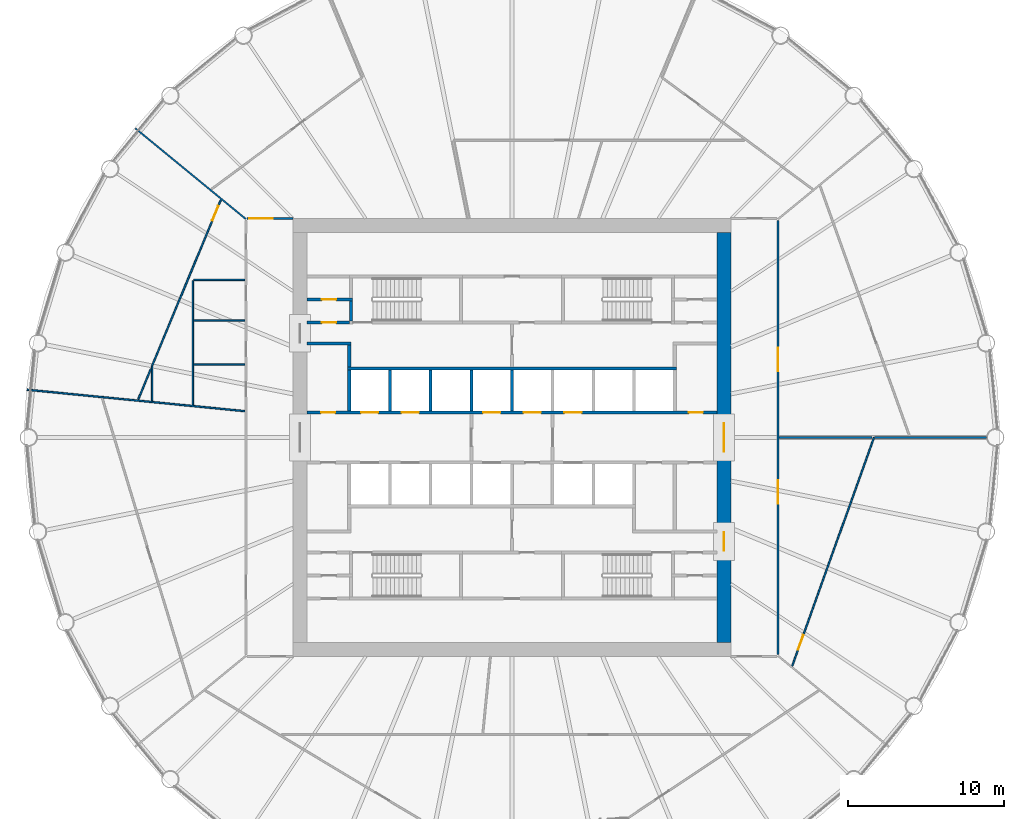
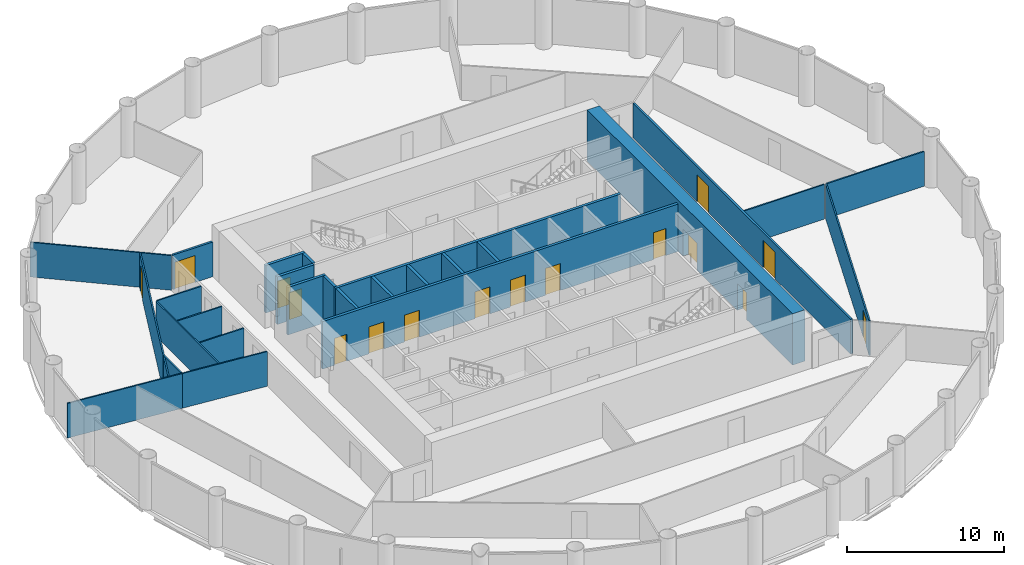
# One storey, part 6 of 9: 28 walls, 16 doors, 16 openings.
"""IFC4 building model written with IfcOpenShell, lengths in metres."""

from ifc_helpers import new_model, si_unit, direction, frame, frame_2d, origin, place, context, subcontext, project, spatial, polyline, rectangle, outline, extrude, material, layer, layer_set, type_object, element, fill, save


model = new_model("IFC4")

# Units and contexts
model_context = context("Model", 3, precision=1e-05, world=origin(), true_north=direction((0.0, 1.0)))
body_context = subcontext(model_context, "Body", "Model", "MODEL_VIEW")
ifc_project = project(units=[si_unit("LENGTHUNIT", "METRE"), si_unit("AREAUNIT", "SQUARE_METRE"), si_unit("VOLUMEUNIT", "CUBIC_METRE"), si_unit("PLANEANGLEUNIT", "RADIAN"), si_unit("MASSUNIT", "GRAM", prefix="KILO")], contexts=[model_context])

# Site, building, storey
site_placement = place(None, origin())
site = spatial("IfcSite", under=ifc_project, at=site_placement, CompositionType="ELEMENT")
building_placement = place(site_placement, origin())
building = spatial("IfcBuilding", under=site, at=building_placement, Name="Corvane Civic Tower", CompositionType="ELEMENT")
storey_placement = place(building_placement, frame((0.0, 0.0, 168.0)))
storey = spatial("IfcBuildingStorey", under=building, at=storey_placement, Name="L39", CompositionType="ELEMENT", Elevation=168.0)

# Wall, openings, doors
ifc_material_1 = material(Name="Concrete C60/75", Category="concrete")
ifc_layer_1 = layer(ifc_material_1, 0.89990234375)
ifc_layer_set_1 = layer_set([ifc_layer_1], Name="Concrete C60/75")
wall_type_1 = type_object("IfcWallType", Name="CORE WALL 900 C60/75", PredefinedType="SHEAR", material=ifc_layer_set_1)
wall_1_placement = place(storey_placement, frame((13.550048828125, -13.10009765625, 0.0), z_axis=(0.0, 0.0, 1.0), x_axis=(0.0, 1.0, 0.0)))
wall_1 = element("IfcWall", 1, at=wall_1_placement, inside=storey, type_object=wall_type_1, Name="W-L39-core-E", PredefinedType="SHEAR", context=body_context, shape_type="SweptSolid", body=[
    extrude(rectangle(XDim=26.2001953125, YDim=0.89990234375, at=frame_2d((13.10009765625, 0.0))), origin(), (0.0, 0.0, 1.0), 4.0),
])
opening_1_placement = place(wall_1_placement, frame((12.199951171875, 0.0, 0.0)))
opening_1 = element("IfcOpeningElement", 2, at=opening_1_placement, cuts=wall_1, Name="Opening L39.C29", PredefinedType="OPENING", context=body_context, shape_type="SweptSolid", body=[
    extrude(rectangle(XDim=1.800048828125, YDim=2.10009765625, at=frame_2d((0.89990234375, 1.050048828125))), frame((0.0, 0.4599609375, 0.0), z_axis=(0.0, -1.0, 0.0), x_axis=(1.0, 0.0, 0.0)), (0.0, 0.0, 1.0), 0.919921875),
])
opening_2_placement = place(wall_1_placement, frame((5.85009765625, 0.0, 0.0)))
opening_2 = element("IfcOpeningElement", 3, at=opening_2_placement, cuts=wall_1, Name="Opening L39.C31", PredefinedType="OPENING", context=body_context, shape_type="SweptSolid", body=[
    extrude(rectangle(XDim=1.199951171875, YDim=2.10009765625, at=frame_2d((0.60009765625, 1.050048828125))), frame((0.0, 0.4599609375, 0.0), z_axis=(0.0, -1.0, 0.0), x_axis=(1.0, 0.0, 0.0)), (0.0, 0.0, 1.0), 0.919921875),
])
ifc_material_2 = material(Name="Steel fire door leaf", Category="steel")
door_type_1 = type_object("IfcDoorType", Name="CR-DOOR-CORE-1800", OperationType="DOUBLE_DOOR_SINGLE_SWING", PredefinedType="DOOR", material=ifc_material_2)
door_1_placement = place(opening_1_placement, origin())
door_1 = element("IfcDoor", 4, at=door_1_placement, inside=storey, type_object=door_type_1, Name="L39 door", OperationType="DOUBLE_DOOR_SINGLE_SWING", OverallHeight=2.10009765625, OverallWidth=1.800048828125, PredefinedType="DOOR", context=body_context, shape_type="SweptSolid", body=[
    extrude(rectangle(XDim=1.800048828125, YDim=2.10009765625, at=frame_2d((0.89990234375, 1.050048828125))), frame((0.0, 0.02490234375, 0.0), z_axis=(0.0, -1.0, 0.0), x_axis=(1.0, 0.0, 0.0)), (0.0, 0.0, 1.0), 0.050048828125),
])
fill(opening_1, door_1)
door_2_placement = place(opening_2_placement, origin())
door_2 = element("IfcDoor", 5, at=door_2_placement, inside=storey, type_object=door_type_1, Name="L39 door", OperationType="DOUBLE_DOOR_SINGLE_SWING", OverallHeight=2.10009765625, OverallWidth=1.199951171875, PredefinedType="DOOR", context=body_context, shape_type="SweptSolid", body=[
    extrude(rectangle(XDim=1.199951171875, YDim=2.10009765625, at=frame_2d((0.60009765625, 1.050048828125))), frame((0.0, 0.02490234375, 0.0), z_axis=(0.0, -1.0, 0.0), x_axis=(1.0, 0.0, 0.0)), (0.0, 0.0, 1.0), 0.050048828125),
])
fill(opening_2, door_2)

ifc_material_3 = material(Name="Concrete C30/37", Category="concrete")
ifc_layer_2 = layer(ifc_material_3, 0.199951171875)
ifc_layer_set_2 = layer_set([ifc_layer_2], Name="Concrete C30/37")
wall_type_2 = type_object("IfcWallType", Name="CR-WALL-200", PredefinedType="PARTITIONING", material=ifc_layer_set_2)
wall_2_placement = place(storey_placement, frame((-13.10009765625, 1.60009765625, 0.0), z_axis=(0.0, 0.0, 1.0), x_axis=(1.0, 0.0, 0.0)))
wall_2 = element("IfcWall", 6, at=wall_2_placement, inside=storey, type_object=wall_type_2, Name="L39 lift shaft wall", PredefinedType="PARTITIONING", context=body_context, shape_type="SweptSolid", body=[
    extrude(rectangle(XDim=26.2001953125, YDim=0.199951171875, at=frame_2d((13.10009765625, 0.0))), origin(), (0.0, 0.0, 1.0), 3.699951171875),
])
opening_3_placement = place(wall_2_placement, frame((3.449951171875, 0.0, 0.0)))
opening_3 = element("IfcOpeningElement", 7, at=opening_3_placement, cuts=wall_2, Name="Opening LD", PredefinedType="OPENING", context=body_context, shape_type="SweptSolid", body=[
    extrude(rectangle(XDim=1.10009765625, YDim=2.10009765625, at=frame_2d((0.550048828125, 1.050048828125))), frame((0.0, 0.10986328125, 0.0), z_axis=(0.0, -1.0, 0.0), x_axis=(1.0, 0.0, 0.0)), (0.0, 0.0, 1.0), 0.219970703125),
])
opening_4_placement = place(wall_2_placement, frame((6.050048828125, 0.0, 0.0)))
opening_4 = element("IfcOpeningElement", 8, at=opening_4_placement, cuts=wall_2, Name="Opening LD", PredefinedType="OPENING", context=body_context, shape_type="SweptSolid", body=[
    extrude(rectangle(XDim=1.10009765625, YDim=2.10009765625, at=frame_2d((0.550048828125, 1.050048828125))), frame((0.0, 0.10986328125, 0.0), z_axis=(0.0, -1.0, 0.0), x_axis=(1.0, 0.0, 0.0)), (0.0, 0.0, 1.0), 0.219970703125),
])
opening_5_placement = place(wall_2_placement, frame((11.25, 0.0, 0.0)))
opening_5 = element("IfcOpeningElement", 9, at=opening_5_placement, cuts=wall_2, Name="Opening LD", PredefinedType="OPENING", context=body_context, shape_type="SweptSolid", body=[
    extrude(rectangle(XDim=1.10009765625, YDim=2.10009765625, at=frame_2d((0.550048828125, 1.050048828125))), frame((0.0, 0.10986328125, 0.0), z_axis=(0.0, -1.0, 0.0), x_axis=(1.0, 0.0, 0.0)), (0.0, 0.0, 1.0), 0.219970703125),
])
opening_6_placement = place(wall_2_placement, frame((13.85009765625, 0.0, 0.0)))
opening_6 = element("IfcOpeningElement", 10, at=opening_6_placement, cuts=wall_2, Name="Opening LD", PredefinedType="OPENING", context=body_context, shape_type="SweptSolid", body=[
    extrude(rectangle(XDim=1.10009765625, YDim=2.10009765625, at=frame_2d((0.550048828125, 1.050048828125))), frame((0.0, 0.10986328125, 0.0), z_axis=(0.0, -1.0, 0.0), x_axis=(1.0, 0.0, 0.0)), (0.0, 0.0, 1.0), 0.219970703125),
])
opening_7_placement = place(wall_2_placement, frame((16.449951171875, 0.0, 0.0)))
opening_7 = element("IfcOpeningElement", 11, at=opening_7_placement, cuts=wall_2, Name="Opening LD", PredefinedType="OPENING", context=body_context, shape_type="SweptSolid", body=[
    extrude(rectangle(XDim=1.10009765625, YDim=2.10009765625, at=frame_2d((0.550048828125, 1.050048828125))), frame((0.0, 0.10986328125, 0.0), z_axis=(0.0, -1.0, 0.0), x_axis=(1.0, 0.0, 0.0)), (0.0, 0.0, 1.0), 0.219970703125),
])
opening_8_placement = place(wall_2_placement, frame((0.89990234375, 0.0, 0.0)))
opening_8 = element("IfcOpeningElement", 12, at=opening_8_placement, cuts=wall_2, Name="Opening L39.C01", PredefinedType="OPENING", context=body_context, shape_type="SweptSolid", body=[
    extrude(rectangle(XDim=0.89990234375, YDim=2.10009765625, at=frame_2d((0.449951171875, 1.050048828125))), frame((0.0, 0.10986328125, 0.0), z_axis=(0.0, -1.0, 0.0), x_axis=(1.0, 0.0, 0.0)), (0.0, 0.0, 1.0), 0.219970703125),
])
opening_9_placement = place(wall_2_placement, frame((24.39990234375, 0.0, 0.0)))
opening_9 = element("IfcOpeningElement", 13, at=opening_9_placement, cuts=wall_2, Name="Opening L39.C02", PredefinedType="OPENING", context=body_context, shape_type="SweptSolid", body=[
    extrude(rectangle(XDim=0.89990234375, YDim=2.10009765625, at=frame_2d((0.449951171875, 1.050048828125))), frame((0.0, 0.10986328125, 0.0), z_axis=(0.0, -1.0, 0.0), x_axis=(1.0, 0.0, 0.0)), (0.0, 0.0, 1.0), 0.219970703125),
])
ifc_material_4 = material(Name="Steel fire door leaf", Category="steel")
door_type_2 = type_object("IfcDoorType", Name="CR-DOOR-900", OperationType="SINGLE_SWING_LEFT", PredefinedType="DOOR", material=ifc_material_4)
door_3_placement = place(opening_8_placement, origin())
door_3 = element("IfcDoor", 14, at=door_3_placement, inside=storey, type_object=door_type_2, Name="L39 door", OperationType="SINGLE_SWING_LEFT", OverallHeight=2.10009765625, OverallWidth=0.89990234375, PredefinedType="DOOR", context=body_context, shape_type="SweptSolid", body=[
    extrude(rectangle(XDim=0.89990234375, YDim=2.10009765625, at=frame_2d((0.449951171875, 1.050048828125))), frame((0.0, 0.02490234375, 0.0), z_axis=(0.0, -1.0, 0.0), x_axis=(1.0, 0.0, 0.0)), (0.0, 0.0, 1.0), 0.050048828125),
])
fill(opening_8, door_3)
door_4_placement = place(opening_9_placement, origin())
door_4 = element("IfcDoor", 15, at=door_4_placement, inside=storey, type_object=door_type_2, Name="L39 door", OperationType="SINGLE_SWING_LEFT", OverallHeight=2.10009765625, OverallWidth=0.89990234375, PredefinedType="DOOR", context=body_context, shape_type="SweptSolid", body=[
    extrude(rectangle(XDim=0.89990234375, YDim=2.10009765625, at=frame_2d((0.449951171875, 1.050048828125))), frame((0.0, 0.02490234375, 0.0), z_axis=(0.0, -1.0, 0.0), x_axis=(1.0, 0.0, 0.0)), (0.0, 0.0, 1.0), 0.050048828125),
])
fill(opening_9, door_4)
ifc_material_5 = material(Name="Stainless steel 316 door leaves", Category="steel")
door_type_3 = type_object("IfcDoorType", Name="LD", OperationType="DOUBLE_DOOR_SLIDING", PredefinedType="DOOR", material=ifc_material_5)
door_5_placement = place(opening_3_placement, origin())
door_5 = element("IfcDoor", 16, at=door_5_placement, inside=storey, type_object=door_type_3, Name="L39 landing door", OperationType="DOUBLE_DOOR_SLIDING", OverallHeight=2.10009765625, OverallWidth=1.10009765625, PredefinedType="DOOR", context=body_context, shape_type="SweptSolid", body=[
    extrude(rectangle(XDim=1.10009765625, YDim=2.10009765625, at=frame_2d((0.550048828125, 1.050048828125))), frame((0.0, 0.02490234375, 0.0), z_axis=(0.0, -1.0, 0.0), x_axis=(1.0, 0.0, 0.0)), (0.0, 0.0, 1.0), 0.050048828125),
])
fill(opening_3, door_5)
door_6_placement = place(opening_4_placement, origin())
door_6 = element("IfcDoor", 17, at=door_6_placement, inside=storey, type_object=door_type_3, Name="L39 landing door", OperationType="DOUBLE_DOOR_SLIDING", OverallHeight=2.10009765625, OverallWidth=1.10009765625, PredefinedType="DOOR", context=body_context, shape_type="SweptSolid", body=[
    extrude(rectangle(XDim=1.10009765625, YDim=2.10009765625, at=frame_2d((0.550048828125, 1.050048828125))), frame((0.0, 0.02490234375, 0.0), z_axis=(0.0, -1.0, 0.0), x_axis=(1.0, 0.0, 0.0)), (0.0, 0.0, 1.0), 0.050048828125),
])
fill(opening_4, door_6)
door_7_placement = place(opening_5_placement, origin())
door_7 = element("IfcDoor", 18, at=door_7_placement, inside=storey, type_object=door_type_3, Name="L39 landing door", OperationType="DOUBLE_DOOR_SLIDING", OverallHeight=2.10009765625, OverallWidth=1.10009765625, PredefinedType="DOOR", context=body_context, shape_type="SweptSolid", body=[
    extrude(rectangle(XDim=1.10009765625, YDim=2.10009765625, at=frame_2d((0.550048828125, 1.050048828125))), frame((0.0, 0.02490234375, 0.0), z_axis=(0.0, -1.0, 0.0), x_axis=(1.0, 0.0, 0.0)), (0.0, 0.0, 1.0), 0.050048828125),
])
fill(opening_5, door_7)
door_8_placement = place(opening_6_placement, origin())
door_8 = element("IfcDoor", 19, at=door_8_placement, inside=storey, type_object=door_type_3, Name="L39 landing door", OperationType="DOUBLE_DOOR_SLIDING", OverallHeight=2.10009765625, OverallWidth=1.10009765625, PredefinedType="DOOR", context=body_context, shape_type="SweptSolid", body=[
    extrude(rectangle(XDim=1.10009765625, YDim=2.10009765625, at=frame_2d((0.550048828125, 1.050048828125))), frame((0.0, 0.02490234375, 0.0), z_axis=(0.0, -1.0, 0.0), x_axis=(1.0, 0.0, 0.0)), (0.0, 0.0, 1.0), 0.050048828125),
])
fill(opening_6, door_8)
door_9_placement = place(opening_7_placement, origin())
door_9 = element("IfcDoor", 20, at=door_9_placement, inside=storey, type_object=door_type_3, Name="L39 landing door", OperationType="DOUBLE_DOOR_SLIDING", OverallHeight=2.10009765625, OverallWidth=1.10009765625, PredefinedType="DOOR", context=body_context, shape_type="SweptSolid", body=[
    extrude(rectangle(XDim=1.10009765625, YDim=2.10009765625, at=frame_2d((0.550048828125, 1.050048828125))), frame((0.0, 0.02490234375, 0.0), z_axis=(0.0, -1.0, 0.0), x_axis=(1.0, 0.0, 0.0)), (0.0, 0.0, 1.0), 0.050048828125),
])
fill(opening_7, door_9)

# Wall, opening, door
wall_3_placement = place(storey_placement, frame((-13.10009765625, 7.35009765625, 0.0), z_axis=(0.0, 0.0, 1.0), x_axis=(1.0, 0.0, 0.0)))
wall_3 = element("IfcWall", 21, at=wall_3_placement, inside=storey, type_object=wall_type_2, Name="L39 core partition wall", PredefinedType="PARTITIONING", context=body_context, shape_type="SweptSolid", body=[
    extrude(rectangle(XDim=2.7001953125, YDim=0.199951171875, at=frame_2d((1.35009765625, 0.0))), origin(), (0.0, 0.0, 1.0), 3.699951171875),
])
opening_10_placement = place(wall_3_placement, frame((0.949951171875, 0.0, 0.0)))
opening_10 = element("IfcOpeningElement", 22, at=opening_10_placement, cuts=wall_3, Name="Opening L39.C11", PredefinedType="OPENING", context=body_context, shape_type="SweptSolid", body=[
    extrude(rectangle(XDim=0.89990234375, YDim=2.10009765625, at=frame_2d((0.449951171875, 1.050048828125))), frame((0.0, 0.10986328125, 0.0), z_axis=(0.0, -1.0, 0.0), x_axis=(1.0, 0.0, 0.0)), (0.0, 0.0, 1.0), 0.219970703125),
])
door_10_placement = place(opening_10_placement, origin())
door_10 = element("IfcDoor", 23, at=door_10_placement, inside=storey, type_object=door_type_2, Name="L39 door", OperationType="SINGLE_SWING_LEFT", OverallHeight=2.10009765625, OverallWidth=0.89990234375, PredefinedType="DOOR", context=body_context, shape_type="SweptSolid", body=[
    extrude(rectangle(XDim=0.89990234375, YDim=2.10009765625, at=frame_2d((0.449951171875, 1.050048828125))), frame((0.0, 0.02490234375, 0.0), z_axis=(0.0, -1.0, 0.0), x_axis=(1.0, 0.0, 0.0)), (0.0, 0.0, 1.0), 0.050048828125),
])
fill(opening_10, door_10)

wall_4_placement = place(storey_placement, frame((-13.10009765625, 8.824951171875, 0.0), z_axis=(0.0, 0.0, 1.0), x_axis=(1.0, 0.0, 0.0)))
wall_4 = element("IfcWall", 24, at=wall_4_placement, inside=storey, type_object=wall_type_2, Name="L39 partition wall", PredefinedType="PARTITIONING", context=body_context, shape_type="SweptSolid", body=[
    extrude(rectangle(XDim=2.900146484375, YDim=0.199951171875, at=frame_2d((1.4501953125, 0.0))), origin(), (0.0, 0.0, 1.0), 3.699951171875),
])
opening_11_placement = place(wall_4_placement, frame((0.949951171875, 0.0, 0.0)))
opening_11 = element("IfcOpeningElement", 25, at=opening_11_placement, cuts=wall_4, Name="Opening L39.C12", PredefinedType="OPENING", context=body_context, shape_type="SweptSolid", body=[
    extrude(rectangle(XDim=0.89990234375, YDim=2.10009765625, at=frame_2d((0.449951171875, 1.050048828125))), frame((0.0, 0.10986328125, 0.0), z_axis=(0.0, -1.0, 0.0), x_axis=(1.0, 0.0, 0.0)), (0.0, 0.0, 1.0), 0.219970703125),
])
door_11_placement = place(opening_11_placement, origin())
door_11 = element("IfcDoor", 26, at=door_11_placement, inside=storey, type_object=door_type_2, Name="L39 door", OperationType="SINGLE_SWING_LEFT", OverallHeight=2.10009765625, OverallWidth=0.89990234375, PredefinedType="DOOR", context=body_context, shape_type="SweptSolid", body=[
    extrude(rectangle(XDim=0.89990234375, YDim=2.10009765625, at=frame_2d((0.449951171875, 1.050048828125))), frame((0.0, 0.02490234375, 0.0), z_axis=(0.0, -1.0, 0.0), x_axis=(1.0, 0.0, 0.0)), (0.0, 0.0, 1.0), 0.050048828125),
])
fill(opening_11, door_11)

# Walls
wall_5_placement = place(storey_placement, origin())
element("IfcWall", 27, at=wall_5_placement, inside=storey, type_object=wall_type_2, Name="L39 core partition wall", PredefinedType="PARTITIONING", context=body_context, shape_type="SweptSolid", body=[
    extrude(outline(polyline([(10.5, 4.5), (10.5, 4.300048828125), (-10.5, 4.300048828125), (-10.5, 4.5), (10.5, 4.5)])), origin(), (0.0, 0.0, 1.0), 3.699951171875),
])
wall_6_placement = place(storey_placement, origin())
element("IfcWall", 28, at=wall_6_placement, inside=storey, type_object=wall_type_2, Name="L39 core partition wall", PredefinedType="PARTITIONING", context=body_context, shape_type="SweptSolid", body=[
    extrude(outline(polyline([(-10.300048828125, 5.89990234375), (-13.10009765625, 5.89990234375), (-13.10009765625, 6.10009765625), (-10.300048828125, 6.10009765625), (-10.300048828125, 5.89990234375)])), origin(), (0.0, 0.0, 1.0), 3.699951171875),
])
wall_7_placement = place(storey_placement, origin())
element("IfcWall", 29, at=wall_7_placement, inside=storey, type_object=wall_type_2, Name="L39 core partition wall", PredefinedType="PARTITIONING", context=body_context, shape_type="SweptSolid", body=[
    extrude(outline(polyline([(-2.5, 1.699951171875), (-2.699951171875, 1.699951171875), (-2.699951171875, 4.2998046875), (-2.5, 4.2998046875), (-2.5, 1.699951171875)])), origin(), (0.0, 0.0, 1.0), 3.699951171875),
])
wall_8_placement = place(storey_placement, origin())
element("IfcWall", 30, at=wall_8_placement, inside=storey, type_object=wall_type_2, Name="L39 core partition wall", PredefinedType="PARTITIONING", context=body_context, shape_type="SweptSolid", body=[
    extrude(outline(polyline([(0.10009765625, 1.699951171875), (-0.10009765625, 1.699951171875), (-0.10009765625, 4.2998046875), (0.10009765625, 4.2998046875), (0.10009765625, 1.699951171875)])), origin(), (0.0, 0.0, 1.0), 3.699951171875),
])
wall_9_placement = place(storey_placement, origin())
element("IfcWall", 31, at=wall_9_placement, inside=storey, type_object=wall_type_2, Name="L39 core partition wall", PredefinedType="PARTITIONING", context=body_context, shape_type="SweptSolid", body=[
    extrude(outline(polyline([(-10.300048828125, 1.699951171875), (-10.5, 1.699951171875), (-10.5, 4.2998046875), (-10.300048828125, 4.2998046875), (-10.300048828125, 1.699951171875)])), origin(), (0.0, 0.0, 1.0), 3.699951171875),
])
wall_10_placement = place(storey_placement, origin())
element("IfcWall", 32, at=wall_10_placement, inside=storey, type_object=wall_type_2, Name="L39 core partition wall", PredefinedType="PARTITIONING", context=body_context, shape_type="SweptSolid", body=[
    extrude(outline(polyline([(-7.699951171875, 1.699951171875), (-7.89990234375, 1.699951171875), (-7.89990234375, 4.2998046875), (-7.699951171875, 4.2998046875), (-7.699951171875, 1.699951171875)])), origin(), (0.0, 0.0, 1.0), 3.699951171875),
])
wall_11_placement = place(storey_placement, origin())
element("IfcWall", 33, at=wall_11_placement, inside=storey, type_object=wall_type_2, Name="L39 core partition wall", PredefinedType="PARTITIONING", context=body_context, shape_type="SweptSolid", body=[
    extrude(outline(polyline([(-5.10009765625, 1.699951171875), (-5.300048828125, 1.699951171875), (-5.300048828125, 4.2998046875), (-5.10009765625, 4.2998046875), (-5.10009765625, 1.699951171875)])), origin(), (0.0, 0.0, 1.0), 3.699951171875),
])
wall_12_placement = place(storey_placement, origin())
element("IfcWall", 34, at=wall_12_placement, inside=storey, type_object=wall_type_2, Name="L39 core partition wall", PredefinedType="PARTITIONING", context=body_context, shape_type="SweptSolid", body=[
    extrude(outline(polyline([(-10.300048828125, 4.5), (-10.5, 4.5), (-10.5, 5.89990234375), (-10.300048828125, 5.89990234375), (-10.300048828125, 4.5)])), origin(), (0.0, 0.0, 1.0), 3.699951171875),
])

# Wall, opening, door
ifc_material_6 = material(Name="Plasterboard")
ifc_layer_3 = layer(ifc_material_6, 0.10009765625)
ifc_layer_set_3 = layer_set([ifc_layer_3], Name="Plasterboard")
wall_type_3 = type_object("IfcWallType", Name="Partition 100 plasterboard on studs", PredefinedType="PARTITIONING", material=ifc_layer_set_3)
wall_13_placement = place(storey_placement, frame((17.911865234375, -14.61328125, 0.0), z_axis=(0.0, 0.0, 1.0), x_axis=(0.336892373853, 0.941543163344, 0.0)))
wall_13 = element("IfcWall", 35, at=wall_13_placement, inside=storey, type_object=wall_type_3, Name="Partition L39.011", PredefinedType="PARTITIONING", context=body_context, shape_type="SweptSolid", body=[
    extrude(rectangle(XDim=15.5205078125, YDim=0.10009765625, at=frame_2d((7.76025390625, 0.0))), origin(), (0.0, 0.0, 1.0), 2.699951171875),
])
opening_12_placement = place(wall_13_placement, frame((1.111328125, 0.0, 0.0)))
opening_12 = element("IfcOpeningElement", 36, at=opening_12_placement, cuts=wall_13, Name="Opening L39.014", PredefinedType="OPENING", context=body_context, shape_type="SweptSolid", body=[
    extrude(rectangle(XDim=1.0, YDim=2.10009765625, at=frame_2d((0.5, 1.050048828125))), frame((0.0, 0.06005859375, 0.0), z_axis=(0.0, -1.0, 0.0), x_axis=(1.0, 0.0, 0.0)), (0.0, 0.0, 1.0), 0.1201171875),
])
ifc_material_7 = material(Name="Timber", Category="wood")
door_type_4 = type_object("IfcDoorType", Name="Single door 1000", OperationType="NOTDEFINED", PredefinedType="DOOR", material=ifc_material_7)
door_12_placement = place(opening_12_placement, frame((1.0, 0.0, 0.0), z_axis=(0.0, 0.0, 1.0), x_axis=(-1.0, 0.0, 0.0)))
door_12 = element("IfcDoor", 37, at=door_12_placement, inside=storey, type_object=door_type_4, Name="Door L39.014", OperationType="SINGLE_SWING_LEFT", OverallHeight=2.10009765625, OverallWidth=1.0, PredefinedType="DOOR", context=body_context, shape_type="SweptSolid", body=[
    extrude(rectangle(XDim=1.0, YDim=2.10009765625, at=frame_2d((0.5, 1.050048828125))), frame((0.0, 0.02490234375, 0.0), z_axis=(0.0, -1.0, 0.0), x_axis=(1.0, 0.0, 0.0)), (0.0, 0.0, 1.0), 0.050048828125),
])
fill(opening_12, door_12)

# Walls
wall_14_placement = place(storey_placement, frame((17.074951171875, 0.0, 0.0), z_axis=(0.0, 0.0, 1.0), x_axis=(1.0, 0.0, 0.0)))
element("IfcWall", 38, at=wall_14_placement, inside=storey, type_object=wall_type_3, Name="Partition L39.016", PredefinedType="PARTITIONING", context=body_context, shape_type="SweptSolid", body=[
    extrude(rectangle(XDim=5.925048828125, YDim=0.10009765625, at=frame_2d((2.96240234375, 0.0))), origin(), (0.0, 0.0, 1.0), 2.699951171875),
])
wall_15_placement = place(storey_placement, frame((23.1806640625, 0.0, 0.0), z_axis=(0.0, 0.0, 1.0), x_axis=(1.0, 0.0, 0.0)))
element("IfcWall", 39, at=wall_15_placement, inside=storey, type_object=wall_type_3, Name="Partition L39.017", PredefinedType="PARTITIONING", context=body_context, shape_type="SweptSolid", body=[
    extrude(rectangle(XDim=7.1591796875, YDim=0.10009765625, at=frame_2d((3.57958984375, 0.0))), origin(), (0.0, 0.0, 1.0), 2.699951171875),
])
wall_16_placement = place(storey_placement, frame((-23.0, 2.265380859375, 0.0), z_axis=(0.0, 0.0, 1.0), x_axis=(0.995181996219, -0.098044859127, 0.0)))
element("IfcWall", 40, at=wall_16_placement, inside=storey, type_object=wall_type_3, Name="Partition L39.019", PredefinedType="PARTITIONING", context=body_context, shape_type="SweptSolid", body=[
    extrude(rectangle(XDim=5.94873046875, YDim=0.10009765625, at=frame_2d((2.974365234375, 0.0))), origin(), (0.0, 0.0, 1.0), 2.699951171875),
])
wall_17_placement = place(storey_placement, frame((-20.39990234375, 2.064453125, 0.0), z_axis=(0.0, 0.0, 1.0), x_axis=(0.0, 1.0, 0.0)))
element("IfcWall", 41, at=wall_17_placement, inside=storey, type_object=wall_type_3, Name="Partition L39.020", PredefinedType="PARTITIONING", context=body_context, shape_type="SweptSolid", body=[
    extrude(rectangle(XDim=7.9599609375, YDim=0.10009765625, at=frame_2d((3.97998046875, 0.0))), origin(), (0.0, 0.0, 1.0), 2.699951171875),
])
wall_18_placement = place(storey_placement, frame((-31.000244140625, 3.05322265625, 0.0), z_axis=(0.0, 0.0, 1.0), x_axis=(0.995186103497, -0.098003160181, 0.0)))
element("IfcWall", 42, at=wall_18_placement, inside=storey, type_object=wall_type_3, Name="Partition L39.021", PredefinedType="PARTITIONING", context=body_context, shape_type="SweptSolid", body=[
    extrude(rectangle(XDim=8.0390625, YDim=0.10009765625, at=frame_2d((4.01953125, 0.0))), origin(), (0.0, 0.0, 1.0), 2.699951171875),
])

# Wall, opening, door
wall_19_placement = place(storey_placement, frame((-23.010009765625, 4.56787109375, 0.0), z_axis=(0.0, 0.0, 1.0), x_axis=(0.382698123591, 0.923873447069, 0.0)))
wall_19 = element("IfcWall", 43, at=wall_19_placement, inside=storey, type_object=wall_type_3, Name="Partition L39.022", PredefinedType="PARTITIONING", context=body_context, shape_type="SweptSolid", body=[
    extrude(rectangle(XDim=11.4970703125, YDim=0.10009765625, at=frame_2d((5.74853515625, 0.0))), origin(), (0.0, 0.0, 1.0), 2.699951171875),
])
opening_13_placement = place(wall_19_placement, frame((10.075439453125, 0.0, 0.0)))
opening_13 = element("IfcOpeningElement", 44, at=opening_13_placement, cuts=wall_19, Name="Opening L39.018", PredefinedType="OPENING", context=body_context, shape_type="SweptSolid", body=[
    extrude(rectangle(XDim=1.0, YDim=2.10009765625, at=frame_2d((0.5, 1.050048828125))), frame((0.0, 0.06005859375, 0.0), z_axis=(0.0, -1.0, 0.0), x_axis=(1.0, 0.0, 0.0)), (0.0, 0.0, 1.0), 0.1201171875),
])
door_13_placement = place(opening_13_placement, origin())
door_13 = element("IfcDoor", 45, at=door_13_placement, inside=storey, type_object=door_type_4, Name="Door L39.018", OperationType="SINGLE_SWING_LEFT", OverallHeight=2.10009765625, OverallWidth=1.0, PredefinedType="DOOR", context=body_context, shape_type="SweptSolid", body=[
    extrude(rectangle(XDim=1.0, YDim=2.10009765625, at=frame_2d((0.5, 1.050048828125))), frame((0.0, 0.02490234375, 0.0), z_axis=(0.0, -1.0, 0.0), x_axis=(1.0, 0.0, 0.0)), (0.0, 0.0, 1.0), 0.050048828125),
])
fill(opening_13, door_13)

# Walls
for number, where, z_axis, x_axis, name in (
    (46, (-20.35009765625, 4.67431640625, 0.0), (0.0, 0.0, 1.0), (1.0, 0.0, 0.0), "Partition L39.023"),
    (47, (-20.35009765625, 7.474365234375, 0.0), (0.0, 0.0, 1.0), (1.0, 0.0, 0.0), "Partition L39.024"),
    (48, (-20.35009765625, 10.074462890625, 0.0), (0.0, 0.0, 1.0), (1.0, 0.0, 0.0), "Partition L39.025"),
):
    element("IfcWall", number, at=place(storey_placement, frame(where, z_axis=z_axis, x_axis=x_axis)), inside=storey, type_object=wall_type_3, Name=name, PredefinedType="PARTITIONING", context=body_context, shape_type="SweptSolid", body=[
        extrude(rectangle(XDim=3.275146484375, YDim=0.10009765625, at=frame_2d((1.6376953125, 0.0))), origin(), (0.0, 0.0, 1.0), 2.699951171875),
    ])
wall_20_placement = place(storey_placement, frame((-24.079345703125, 19.761474609375, 0.0), z_axis=(0.0, 0.0, 1.0), x_axis=(0.773006154143, -0.634398522742, 0.0)))
element("IfcWall", 49, at=wall_20_placement, inside=storey, type_object=wall_type_3, Name="Partition L39.026", PredefinedType="PARTITIONING", context=body_context, shape_type="SweptSolid", body=[
    extrude(rectangle(XDim=9.134521484375, YDim=0.10009765625, at=frame_2d((4.5673828125, 0.0))), origin(), (0.0, 0.0, 1.0), 2.699951171875),
])
wall_21_placement = place(storey_placement, frame((-23.889892578125, 2.443359375, 0.0), z_axis=(0.0, 0.0, 1.0), x_axis=(0.382640634603, 0.923897258763, 0.0)))
element("IfcWall", 50, at=wall_21_placement, inside=storey, type_object=wall_type_3, Name="Partition L39.037", PredefinedType="PARTITIONING", context=body_context, shape_type="SweptSolid", body=[
    extrude(rectangle(XDim=2.09033203125, YDim=0.10009765625, at=frame_2d((1.045166015625, 0.0))), origin(), (0.0, 0.0, 1.0), 2.699951171875),
])
wall_22_placement = place(storey_placement, frame((-23.0, 2.355712890625, 0.0), z_axis=(0.0, 0.0, 1.0), x_axis=(0.0, 1.0, 0.0)))
element("IfcWall", 51, at=wall_22_placement, inside=storey, type_object=wall_type_3, Name="Partition L39.038", PredefinedType="PARTITIONING", context=body_context, shape_type="SweptSolid", body=[
    extrude(rectangle(XDim=2.2080078125, YDim=0.10009765625, at=frame_2d((1.10400390625, 0.0))), origin(), (0.0, 0.0, 1.0), 2.699951171875),
])
ifc_material_8 = material(Name="Concrete C50/60", Category="concrete")
ifc_layer_4 = layer(ifc_material_8, 0.199951171875)
ifc_layer_set_4 = layer_set([ifc_layer_4], Name="Concrete C50/60")
wall_type_4 = type_object("IfcWallType", Name="ST-WALL-200", PredefinedType="SHEAR", material=ifc_layer_set_4)
wall_23_placement = place(storey_placement, origin())
element("IfcWall", 52, at=wall_23_placement, inside=storey, type_object=wall_type_4, Name="L39 stair enclosure wall", PredefinedType="SHEAR", context=body_context, shape_type="SweptSolid", body=[
    extrude(outline(polyline([(-10.199951171875, 8.72509765625), (-10.199951171875, 7.449951171875), (-10.39990234375, 7.449951171875), (-10.39990234375, 8.72509765625), (-10.199951171875, 8.72509765625)])), origin(), (0.0, 0.0, 1.0), 3.699951171875),
])

# Wall, openings, doors
ifc_material_9 = material(Name="Plasterboard")
ifc_layer_5 = layer(ifc_material_9, 0.14990234375)
ifc_layer_set_5 = layer_set([ifc_layer_5], Name="Plasterboard")
wall_type_5 = type_object("IfcWallType", Name="Tenancy wall 150 EI 60", PredefinedType="PARTITIONING", material=ifc_layer_set_5)
wall_24_placement = place(storey_placement, frame((17.0, -13.87646484375, 0.0), z_axis=(0.0, 0.0, 1.0), x_axis=(0.0, 1.0, 0.0)))
wall_24 = element("IfcWall", 53, at=wall_24_placement, inside=storey, type_object=wall_type_5, Name="Partition L39.015", PredefinedType="PARTITIONING", context=body_context, shape_type="SweptSolid", body=[
    extrude(rectangle(XDim=27.7529296875, YDim=0.14990234375, at=frame_2d((13.87646484375, 0.0))), origin(), (0.0, 0.0, 1.0), 2.699951171875),
])
opening_14_placement = place(wall_24_placement, frame((18.107177734375, 0.0, 0.0)))
opening_14 = element("IfcOpeningElement", 54, at=opening_14_placement, cuts=wall_24, Name="Opening L39.013", PredefinedType="OPENING", context=body_context, shape_type="SweptSolid", body=[
    extrude(rectangle(XDim=1.5, YDim=2.10009765625, at=frame_2d((0.75, 1.050048828125))), frame((0.0, 0.0849609375, 0.0), z_axis=(0.0, -1.0, 0.0), x_axis=(1.0, 0.0, 0.0)), (0.0, 0.0, 1.0), 0.169921875),
])
opening_15_placement = place(wall_24_placement, frame((9.640380859375, 0.0, 0.0)))
opening_15 = element("IfcOpeningElement", 55, at=opening_15_placement, cuts=wall_24, Name="Opening L39.015", PredefinedType="OPENING", context=body_context, shape_type="SweptSolid", body=[
    extrude(rectangle(XDim=1.5, YDim=2.10009765625, at=frame_2d((0.75, 1.050048828125))), frame((0.0, 0.0849609375, 0.0), z_axis=(0.0, -1.0, 0.0), x_axis=(1.0, 0.0, 0.0)), (0.0, 0.0, 1.0), 0.169921875),
])
ifc_material_10 = material(Name="Steel and timber", Category="steel")
door_type_5 = type_object("IfcDoorType", Name="Fire door FD60 double 1500", OperationType="NOTDEFINED", PredefinedType="DOOR", material=ifc_material_10)
door_14_placement = place(opening_14_placement, frame((1.5, 0.0, 0.0), z_axis=(0.0, 0.0, 1.0), x_axis=(-1.0, 0.0, 0.0)))
door_14 = element("IfcDoor", 56, at=door_14_placement, inside=storey, type_object=door_type_5, Name="Door L39.013", OperationType="DOUBLE_DOOR_SINGLE_SWING", OverallHeight=2.10009765625, OverallWidth=1.5, PredefinedType="DOOR", context=body_context, shape_type="SweptSolid", body=[
    extrude(rectangle(XDim=1.5, YDim=2.10009765625, at=frame_2d((0.75, 1.050048828125))), frame((0.0, 0.02490234375, 0.0), z_axis=(0.0, -1.0, 0.0), x_axis=(1.0, 0.0, 0.0)), (0.0, 0.0, 1.0), 0.050048828125),
])
fill(opening_14, door_14)
door_15_placement = place(opening_15_placement, frame((1.5, 0.0, 0.0), z_axis=(0.0, 0.0, 1.0), x_axis=(-1.0, 0.0, 0.0)))
door_15 = element("IfcDoor", 57, at=door_15_placement, inside=storey, type_object=door_type_5, Name="Door L39.015", OperationType="DOUBLE_DOOR_SINGLE_SWING", OverallHeight=2.10009765625, OverallWidth=1.5, PredefinedType="DOOR", context=body_context, shape_type="SweptSolid", body=[
    extrude(rectangle(XDim=1.5, YDim=2.10009765625, at=frame_2d((0.75, 1.050048828125))), frame((0.0, 0.02490234375, 0.0), z_axis=(0.0, -1.0, 0.0), x_axis=(1.0, 0.0, 0.0)), (0.0, 0.0, 1.0), 0.050048828125),
])
fill(opening_15, door_15)

# Wall, opening, door
wall_25_placement = place(storey_placement, frame((-16.925048828125, 14.0, 0.0), z_axis=(0.0, 0.0, 1.0), x_axis=(1.0, 0.0, 0.0)))
wall_25 = element("IfcWall", 58, at=wall_25_placement, inside=storey, type_object=wall_type_5, Name="Partition L39.028", PredefinedType="PARTITIONING", context=body_context, shape_type="SweptSolid", body=[
    extrude(rectangle(XDim=2.93505859375, YDim=0.14990234375, at=frame_2d((1.467529296875, 0.0))), origin(), (0.0, 0.0, 1.0), 2.699951171875),
])
opening_16_placement = place(wall_25_placement, frame((0.130126953125, 0.0, 0.0)))
opening_16 = element("IfcOpeningElement", 59, at=opening_16_placement, cuts=wall_25, Name="Opening L39.003", PredefinedType="OPENING", context=body_context, shape_type="SweptSolid", body=[
    extrude(rectangle(XDim=1.5, YDim=2.10009765625, at=frame_2d((0.75, 1.050048828125))), frame((0.0, 0.0849609375, 0.0), z_axis=(0.0, -1.0, 0.0), x_axis=(1.0, 0.0, 0.0)), (0.0, 0.0, 1.0), 0.169921875),
])
door_16_placement = place(opening_16_placement, origin())
door_16 = element("IfcDoor", 60, at=door_16_placement, inside=storey, type_object=door_type_5, Name="Door L39.003", OperationType="DOUBLE_DOOR_SINGLE_SWING", OverallHeight=2.10009765625, OverallWidth=1.5, PredefinedType="DOOR", context=body_context, shape_type="SweptSolid", body=[
    extrude(rectangle(XDim=1.5, YDim=2.10009765625, at=frame_2d((0.75, 1.050048828125))), frame((0.0, 0.02490234375, 0.0), z_axis=(0.0, -1.0, 0.0), x_axis=(1.0, 0.0, 0.0)), (0.0, 0.0, 1.0), 0.050048828125),
])
fill(opening_16, door_16)

save(model, "model.ifc")
